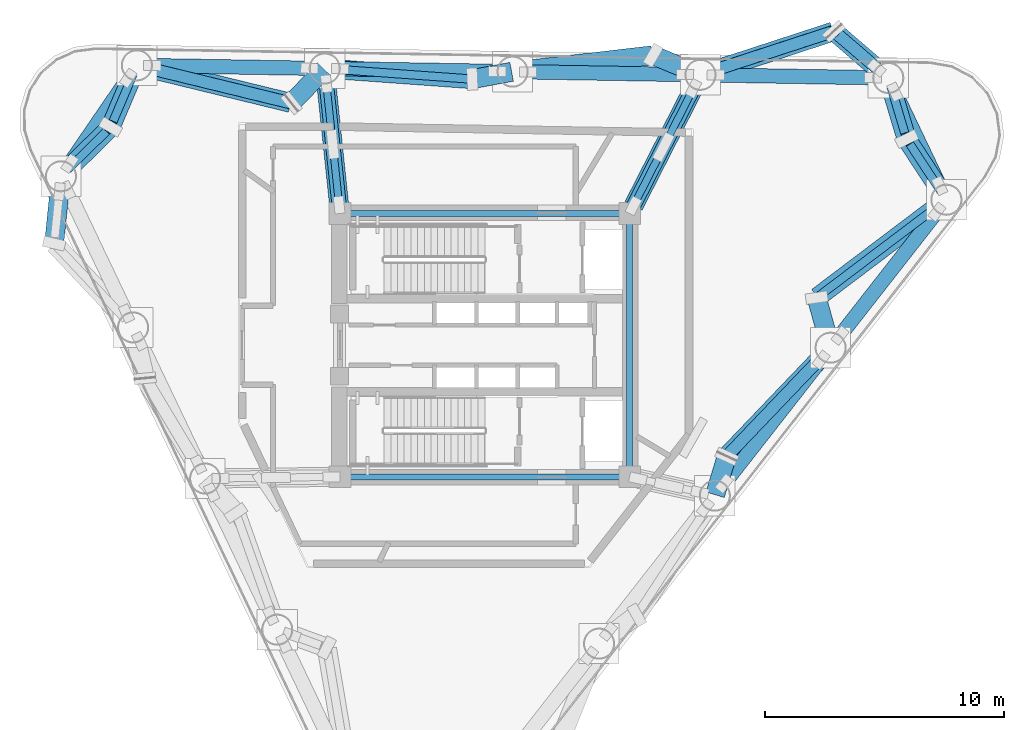
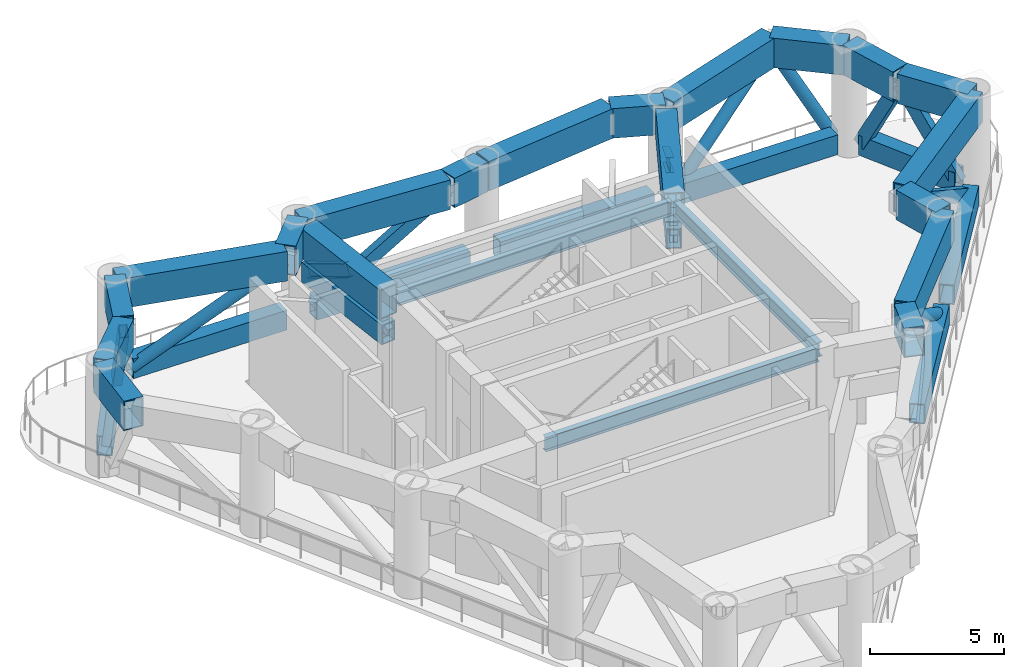
# One storey, part 2 of 9: 24 members, 22 beams.
"""IFC4 building model written with IfcOpenShell, lengths in metres."""

from ifc_helpers import new_model, si_unit, direction, frame, origin, origin_2d, place, context, subcontext, project, spatial, hollow_rectangle, hollow_circle, i_section, extrude, source, transform, mapped, material, material_profile, profile_set, type_object, element, save


model = new_model("IFC4")

# Units and contexts
model_context = context("Model", 3, precision=1e-05, world=origin(), true_north=direction((0.0, 1.0)))
body_context = subcontext(model_context, "Body", "Model", "MODEL_VIEW")
ifc_project = project(units=[si_unit("LENGTHUNIT", "METRE"), si_unit("AREAUNIT", "SQUARE_METRE"), si_unit("VOLUMEUNIT", "CUBIC_METRE"), si_unit("PLANEANGLEUNIT", "RADIAN"), si_unit("MASSUNIT", "GRAM", prefix="KILO")], contexts=[model_context])

# Site, building, storey
site_placement = place(None, origin())
site = spatial("IfcSite", under=ifc_project, at=site_placement, CompositionType="ELEMENT")
building_placement = place(site_placement, origin())
building = spatial("IfcBuilding", under=site, at=building_placement, Name="Yunling Apex Tower", CompositionType="ELEMENT")
storey_placement = place(building_placement, frame((0.0, 0.0, 153.64990234375)))
storey = spatial("IfcBuildingStorey", under=building, at=storey_placement, Name="RF4", CompositionType="ELEMENT", Elevation=153.64990234375)

# Beams
ifc_material_1 = material(Name="Steel Q355B", Category="steel")
ifc_material_profile_1 = material_profile(ifc_material_1, i_section(OverallWidth=0.25, OverallDepth=0.64990234375, WebThickness=0.011962890625, FlangeThickness=0.02001953125, FilletRadius=0.02392578125, at=origin_2d()))
ifc_profile_set_1 = profile_set([ifc_material_profile_1], Name="Steel Q355B")
beam_type_1 = type_object("IfcBeamType", Name="BG-PRI-4", PredefinedType="USERDEFINED", material=ifc_profile_set_1)
shared_shape_1 = source(origin(), body_context, "Body", "SweptSolid", [
    extrude(i_section(OverallWidth=0.25, OverallDepth=0.64990234375, WebThickness=0.011962890625, FlangeThickness=0.02001953125, FilletRadius=0.02392578125, at=origin_2d()), origin(), (0.0, 0.0, 1.0), 11.7998046875),
])
for number, where, z_axis, x_axis, name in (
    (1, (-5.89990234375, -5.5, 4.59521484375), (1.0, 0.0, 0.0), (0.0, 1.0, 0.0), "RF4 Core Ring Tie Beam 1"),
    (2, (5.89990234375, 5.5, 4.59521484375), (-1.0, 0.0, 0.0), (0.0, -1.0, 0.0), "RF4 Core Ring Tie Beam 3"),
):
    element("IfcBeam", number, at=place(storey_placement, frame(where, z_axis=z_axis, x_axis=x_axis)), inside=storey, type_object=beam_type_1, Name=name, ObjectType="GIRDER", PredefinedType="USERDEFINED", context=body_context, shape_type="MappedRepresentation", body=[
        mapped(shared_shape_1, transform((0.0, 0.0, 0.0), scale=1.0)),
    ])
shared_shape_2 = source(origin(), body_context, "Body", "SweptSolid", [
    extrude(i_section(OverallWidth=0.25, OverallDepth=0.64990234375, WebThickness=0.011962890625, FlangeThickness=0.02001953125, FilletRadius=0.02392578125, at=origin_2d()), origin(), (0.0, 0.0, 1.0), 10.7001953125),
])
beam_1_placement = place(storey_placement, frame((6.050048828125, -5.35009765625, 4.59521484375), z_axis=(0.0, 1.0, 0.0), x_axis=(-1.0, 0.0, 0.0)))
element("IfcBeam", 3, at=beam_1_placement, inside=storey, type_object=beam_type_1, Name="RF4 Core Ring Tie Beam 2", ObjectType="GIRDER", PredefinedType="USERDEFINED", context=body_context, shape_type="MappedRepresentation", body=[
    mapped(shared_shape_2, transform((0.0, 0.0, 0.0), scale=1.0)),
])

# Members
ifc_material_profile_2 = material_profile(ifc_material_1, hollow_rectangle(XDim=0.35009765625, YDim=0.550048828125, WallThickness=0.02587890625, at=origin_2d()))
ifc_profile_set_2 = profile_set([ifc_material_profile_2], Name="Steel Q355B")
member_type_1 = type_object("IfcMemberType", Name="BR-BLT-1", PredefinedType="BRACE", material=ifc_profile_set_2)
shared_shape_3 = source(origin(), body_context, "Body", "SweptSolid", [
    extrude(hollow_rectangle(XDim=0.35009765625, YDim=0.550048828125, WallThickness=0.02587890625, at=origin_2d()), origin(), (0.0, 0.0, 1.0), 4.269287109375),
])
member_1_placement = place(storey_placement, frame((-14.787841796875, 11.10107421875, 0.550048828125), z_axis=(-0.195859933669, -0.461028550436, 0.865500757981), x_axis=(0.920386389413, -0.391010094733, 0.0)))
element("IfcMember", 4, at=member_1_placement, inside=storey, type_object=member_type_1, Name="RF4 Belt-Truss Diagonal 10-1", PredefinedType="BRACE", context=body_context, shape_type="MappedRepresentation", body=[
    mapped(shared_shape_3, transform((0.0, 0.0, 0.0), scale=1.0)),
])
ifc_material_2 = material(Name="Steel Q390GJC", Category="steel")
ifc_material_profile_3 = material_profile(ifc_material_2, hollow_rectangle(XDim=0.60009765625, YDim=0.89990234375, WallThickness=0.0419921875, at=origin_2d()))
ifc_profile_set_3 = profile_set([ifc_material_profile_3], Name="Steel Q390GJC")
member_type_2 = type_object("IfcMemberType", Name="BT-CHD-1", PredefinedType="CHORD", material=ifc_profile_set_3)
shared_shape_4 = source(origin(), body_context, "Body", "SweptSolid", [
    extrude(hollow_rectangle(XDim=0.60009765625, YDim=0.89990234375, WallThickness=0.0419921875, at=origin_2d()), origin(), (0.0, 0.0, 1.0), 6.566162109375),
])
for number, where, z_axis, x_axis, name in (
    (5, (10.006103515625, -5.78369140625, 0.550048828125), (0.616211009366, 0.787581101815, 0.0), (-0.787581101815, 0.616211009366, 0.0), "RF4 Belt-Truss Bottom Chord 3"),
    (6, (14.843505859375, 0.39892578125, 0.550048828125), (0.616211009366, 0.787581101815, 0.0), (-0.787581101815, 0.616211009366, 0.0), "RF4 Belt-Truss Bottom Chord 4"),
    (7, (16.216552734375, 11.174560546875, 0.550048828125), (-0.999860012285, 0.01673188076, 0.0), (-0.01673188076, -0.999860012285, 0.0), "RF4 Belt-Truss Bottom Chord 6"),
    (8, (0.5185546875, 11.4375, 0.550048828125), (-0.999859389557, 0.016769052274, 0.0), (-0.016769052274, -0.999859389557, 0.0), "RF4 Belt-Truss Bottom Chord 8"),
    (9, (-7.330322265625, 11.569091796875, 0.550048828125), (-0.999859389557, 0.016769052274, 0.0), (-0.016769052274, -0.999859389557, 0.0), "RF4 Belt-Truss Bottom Chord 9"),
):
    element("IfcMember", number, at=place(storey_placement, frame(where, z_axis=z_axis, x_axis=x_axis)), inside=storey, type_object=member_type_2, Name=name, PredefinedType="CHORD", context=body_context, shape_type="MappedRepresentation", body=[
        mapped(shared_shape_4, transform((0.0, 0.0, 0.0), scale=1.0)),
    ])
shared_shape_5 = source(origin(), body_context, "Body", "SweptSolid", [
    extrude(hollow_rectangle(XDim=0.60009765625, YDim=0.89990234375, WallThickness=0.0419921875, at=origin_2d()), origin(), (0.0, 0.0, 1.0), 4.352783203125),
])
member_2_placement = place(storey_placement, frame((19.0087890625, 6.655517578125, 0.550048828125), z_axis=(-0.430534387642, 0.902574174823, 0.0), x_axis=(-0.902574174823, -0.430534387642, 0.0)))
element("IfcMember", 10, at=member_2_placement, inside=storey, type_object=member_type_2, Name="RF4 Belt-Truss Bottom Chord 5", PredefinedType="CHORD", context=body_context, shape_type="MappedRepresentation", body=[
    mapped(shared_shape_5, transform((0.0, 0.0, 0.0), scale=1.0)),
])
shared_shape_6 = source(origin(), body_context, "Body", "SweptSolid", [
    extrude(hollow_rectangle(XDim=0.60009765625, YDim=0.89990234375, WallThickness=0.0419921875, at=origin_2d()), origin(), (0.0, 0.0, 1.0), 6.56591796875),
])
member_3_placement = place(storey_placement, frame((8.367431640625, 11.305908203125, 0.550048828125), z_axis=(-0.999859379101, 0.016769675715, 0.0), x_axis=(-0.016769675715, -0.999859379101, 0.0)))
element("IfcMember", 11, at=member_3_placement, inside=storey, type_object=member_type_2, Name="RF4 Belt-Truss Bottom Chord 7", PredefinedType="CHORD", context=body_context, shape_type="MappedRepresentation", body=[
    mapped(shared_shape_6, transform((0.0, 0.0, 0.0), scale=1.0)),
])
shared_shape_7 = source(origin(), body_context, "Body", "SweptSolid", [
    extrude(hollow_rectangle(XDim=0.60009765625, YDim=0.89990234375, WallThickness=0.0419921875, at=origin_2d()), origin(), (0.0, 0.0, 1.0), 4.33203125),
])
member_4_placement = place(storey_placement, frame((-14.89990234375, 11.16015625, 0.550048828125), z_axis=(-0.564635426791, -0.825340435707, 0.0), x_axis=(0.825340435707, -0.564635426791, 0.0)))
element("IfcMember", 12, at=member_4_placement, inside=storey, type_object=member_type_2, Name="RF4 Belt-Truss Bottom Chord 10", PredefinedType="CHORD", context=body_context, shape_type="MappedRepresentation", body=[
    mapped(shared_shape_7, transform((0.0, 0.0, 0.0), scale=1.0)),
])

# Beams
ifc_material_profile_4 = material_profile(ifc_material_2, hollow_rectangle(XDim=0.800048828125, YDim=1.35009765625, WallThickness=0.050048828125, at=origin_2d()))
ifc_profile_set_4 = profile_set([ifc_material_profile_4], Name="Steel Q390GJC")
beam_type_2 = type_object("IfcBeamType", Name="BTRNG-1", PredefinedType="USERDEFINED", material=ifc_profile_set_4)
shared_shape_8 = source(origin(), body_context, "Body", "SweptSolid", [
    extrude(hollow_rectangle(XDim=0.800048828125, YDim=1.35009765625, WallThickness=0.050048828125, at=origin_2d()), origin(), (0.0, 0.0, 1.0), 1.63525390625),
])
beam_2_placement = place(storey_placement, frame((9.622314453125, -6.2509765625, 4.2451171875), z_axis=(0.290537748632, 0.956863530823, 0.0), x_axis=(-0.956863530823, 0.290537748632, 0.0)))
element("IfcBeam", 13, at=beam_2_placement, inside=storey, type_object=beam_type_2, Name="RF4 Panel-Split Box Ring Transfer Girder 12", ObjectType="GIRDER", PredefinedType="USERDEFINED", context=body_context, shape_type="MappedRepresentation", body=[
    mapped(shared_shape_8, transform((0.0, 0.0, 0.0), scale=1.0)),
])
shared_shape_9 = source(origin(), body_context, "Body", "SweptSolid", [
    extrude(hollow_rectangle(XDim=0.800048828125, YDim=1.35009765625, WallThickness=0.050048828125, at=origin_2d()), origin(), (0.0, 0.0, 1.0), 6.200927734375),
])
beam_3_placement = place(storey_placement, frame((10.13671875, -4.618896484375, 4.2451171875), z_axis=(0.69082026868, 0.723026525364, 0.0), x_axis=(-0.723026525364, 0.69082026868, 0.0)))
element("IfcBeam", 14, at=beam_3_placement, inside=storey, type_object=beam_type_2, Name="RF4 Panel-Split Box Ring Transfer Girder 13", ObjectType="GIRDER", PredefinedType="USERDEFINED", context=body_context, shape_type="MappedRepresentation", body=[
    mapped(shared_shape_9, transform((0.0, 0.0, 0.0), scale=1.0)),
])
shared_shape_10 = source(origin(), body_context, "Body", "SweptSolid", [
    extrude(hollow_rectangle(XDim=0.800048828125, YDim=1.35009765625, WallThickness=0.050048828125, at=origin_2d()), origin(), (0.0, 0.0, 1.0), 2.08837890625),
])
beam_4_placement = place(storey_placement, frame((14.437255859375, -0.068115234375, 4.2451171875), z_axis=(-0.26830706859, 0.963333440167, 0.0), x_axis=(-0.963333440167, -0.26830706859, 0.0)))
element("IfcBeam", 15, at=beam_4_placement, inside=storey, type_object=beam_type_2, Name="RF4 Panel-Split Box Ring Transfer Girder 14", ObjectType="GIRDER", PredefinedType="USERDEFINED", context=body_context, shape_type="MappedRepresentation", body=[
    mapped(shared_shape_10, transform((0.0, 0.0, 0.0), scale=1.0)),
])
shared_shape_11 = source(origin(), body_context, "Body", "SweptSolid", [
    extrude(hollow_rectangle(XDim=0.800048828125, YDim=1.35009765625, WallThickness=0.050048828125, at=origin_2d()), origin(), (0.0, 0.0, 1.0), 6.711669921875),
])
beam_5_placement = place(storey_placement, frame((13.898193359375, 2.006103515625, 4.2451171875), z_axis=(0.797886763177, 0.602807359898, 0.0), x_axis=(-0.602807359898, 0.797886763177, 0.0)))
element("IfcBeam", 16, at=beam_5_placement, inside=storey, type_object=beam_type_2, Name="RF4 Panel-Split Box Ring Transfer Girder 15", ObjectType="GIRDER", PredefinedType="USERDEFINED", context=body_context, shape_type="MappedRepresentation", body=[
    mapped(shared_shape_11, transform((0.0, 0.0, 0.0), scale=1.0)),
])
shared_shape_12 = source(origin(), body_context, "Body", "SweptSolid", [
    extrude(hollow_rectangle(XDim=0.800048828125, YDim=1.35009765625, WallThickness=0.050048828125, at=origin_2d()), origin(), (0.0, 0.0, 1.0), 2.95166015625),
])
beam_6_placement = place(storey_placement, frame((19.26318359375, 6.109619140625, 4.2451171875), z_axis=(-0.548040225825, 0.836451977628, 0.0), x_axis=(-0.836451977628, -0.548040225825, 0.0)))
element("IfcBeam", 17, at=beam_6_placement, inside=storey, type_object=beam_type_2, Name="RF4 Panel-Split Box Ring Transfer Girder 16", ObjectType="GIRDER", PredefinedType="USERDEFINED", context=body_context, shape_type="MappedRepresentation", body=[
    mapped(shared_shape_12, transform((0.0, 0.0, 0.0), scale=1.0)),
])
shared_shape_13 = source(origin(), body_context, "Body", "SweptSolid", [
    extrude(hollow_rectangle(XDim=0.800048828125, YDim=1.35009765625, WallThickness=0.050048828125, at=origin_2d()), origin(), (0.0, 0.0, 1.0), 2.583984375),
])
beam_7_placement = place(storey_placement, frame((17.612060546875, 8.650390625, 4.2451171875), z_axis=(-0.287226529705, 0.9578626836, 0.0), x_axis=(-0.9578626836, -0.287226529705, 0.0)))
element("IfcBeam", 18, at=beam_7_placement, inside=storey, type_object=beam_type_2, Name="RF4 Panel-Split Box Ring Transfer Girder 17", ObjectType="GIRDER", PredefinedType="USERDEFINED", context=body_context, shape_type="MappedRepresentation", body=[
    mapped(shared_shape_13, transform((0.0, 0.0, 0.0), scale=1.0)),
])
shared_shape_14 = source(origin(), body_context, "Body", "SweptSolid", [
    extrude(hollow_rectangle(XDim=0.800048828125, YDim=1.35009765625, WallThickness=0.050048828125, at=origin_2d()), origin(), (0.0, 0.0, 1.0), 2.9140625),
])
beam_8_placement = place(storey_placement, frame((16.828125, 11.189697265625, 4.2451171875), z_axis=(-0.758730005797, 0.651405233555, 0.0), x_axis=(-0.651405233555, -0.758730005797, 0.0)))
element("IfcBeam", 19, at=beam_8_placement, inside=storey, type_object=beam_type_2, Name="RF4 Panel-Split Box Ring Transfer Girder 18", ObjectType="GIRDER", PredefinedType="USERDEFINED", context=body_context, shape_type="MappedRepresentation", body=[
    mapped(shared_shape_14, transform((0.0, 0.0, 0.0), scale=1.0)),
])
shared_shape_15 = source(origin(), body_context, "Body", "SweptSolid", [
    extrude(hollow_rectangle(XDim=0.800048828125, YDim=1.35009765625, WallThickness=0.050048828125, at=origin_2d()), origin(), (0.0, 0.0, 1.0), 5.78662109375),
])
beam_9_placement = place(storey_placement, frame((14.548828125, 13.1015625, 4.2451171875), z_axis=(-0.950730380158, -0.31001894175, 0.0), x_axis=(0.31001894175, -0.950730380158, 0.0)))
element("IfcBeam", 20, at=beam_9_placement, inside=storey, type_object=beam_type_2, Name="RF4 Panel-Split Box Ring Transfer Girder 19", ObjectType="GIRDER", PredefinedType="USERDEFINED", context=body_context, shape_type="MappedRepresentation", body=[
    mapped(shared_shape_15, transform((0.0, 0.0, 0.0), scale=1.0)),
])
shared_shape_16 = source(origin(), body_context, "Body", "SweptSolid", [
    extrude(hollow_rectangle(XDim=0.800048828125, YDim=1.35009765625, WallThickness=0.050048828125, at=origin_2d()), origin(), (0.0, 0.0, 1.0), 2.06005859375),
])
beam_10_placement = place(storey_placement, frame((8.972412109375, 11.310546875, 4.2451171875), z_axis=(-0.923888286302, 0.382662298162, 0.0), x_axis=(-0.382662298162, -0.923888286302, 0.0)))
element("IfcBeam", 21, at=beam_10_placement, inside=storey, type_object=beam_type_2, Name="RF4 Panel-Split Box Ring Transfer Girder 20", ObjectType="GIRDER", PredefinedType="USERDEFINED", context=body_context, shape_type="MappedRepresentation", body=[
    mapped(shared_shape_16, transform((0.0, 0.0, 0.0), scale=1.0)),
])
shared_shape_17 = source(origin(), body_context, "Body", "SweptSolid", [
    extrude(hollow_rectangle(XDim=0.800048828125, YDim=1.35009765625, WallThickness=0.050048828125, at=origin_2d()), origin(), (0.0, 0.0, 1.0), 5.831787109375),
])
beam_11_placement = place(storey_placement, frame((6.992431640625, 12.109375, 4.2451171875), z_axis=(-0.993219299946, -0.116255848091, 0.0), x_axis=(0.116255848091, -0.993219299946, 0.0)))
element("IfcBeam", 22, at=beam_11_placement, inside=storey, type_object=beam_type_2, Name="RF4 Panel-Split Box Ring Transfer Girder 21", ObjectType="GIRDER", PredefinedType="USERDEFINED", context=body_context, shape_type="MappedRepresentation", body=[
    mapped(shared_shape_17, transform((0.0, 0.0, 0.0), scale=1.0)),
])
shared_shape_18 = source(origin(), body_context, "Body", "SweptSolid", [
    extrude(hollow_rectangle(XDim=0.800048828125, YDim=1.35009765625, WallThickness=0.050048828125, at=origin_2d()), origin(), (0.0, 0.0, 1.0), 1.631591796875),
])
beam_12_placement = place(storey_placement, frame((1.12109375, 11.41943359375, 4.2451171875), z_axis=(-0.983170696271, -0.182689304542, 0.0), x_axis=(0.182689304542, -0.983170696271, 0.0)))
element("IfcBeam", 23, at=beam_12_placement, inside=storey, type_object=beam_type_2, Name="RF4 Panel-Split Box Ring Transfer Girder 22", ObjectType="GIRDER", PredefinedType="USERDEFINED", context=body_context, shape_type="MappedRepresentation", body=[
    mapped(shared_shape_18, transform((0.0, 0.0, 0.0), scale=1.0)),
])
shared_shape_19 = source(origin(), body_context, "Body", "SweptSolid", [
    extrude(hollow_rectangle(XDim=0.800048828125, YDim=1.35009765625, WallThickness=0.050048828125, at=origin_2d()), origin(), (0.0, 0.0, 1.0), 6.10205078125),
])
beam_13_placement = place(storey_placement, frame((-0.5625, 11.116943359375, 4.2451171875), z_axis=(-0.997414846517, 0.071858360317, 0.0), x_axis=(-0.071858360317, -0.997414846517, 0.0)))
element("IfcBeam", 24, at=beam_13_placement, inside=storey, type_object=beam_type_2, Name="RF4 Panel-Split Box Ring Transfer Girder 23", ObjectType="GIRDER", PredefinedType="USERDEFINED", context=body_context, shape_type="MappedRepresentation", body=[
    mapped(shared_shape_19, transform((0.0, 0.0, 0.0), scale=1.0)),
])
shared_shape_20 = source(origin(), body_context, "Body", "SweptSolid", [
    extrude(hollow_rectangle(XDim=0.800048828125, YDim=1.35009765625, WallThickness=0.050048828125, at=origin_2d()), origin(), (0.0, 0.0, 1.0), 1.923583984375),
])
beam_14_placement = place(storey_placement, frame((-6.71630859375, 11.529541015625, 4.2451171875), z_axis=(-0.693136617737, -0.720806235511, 0.0), x_axis=(0.720806235511, -0.693136617737, 0.0)))
element("IfcBeam", 25, at=beam_14_placement, inside=storey, type_object=beam_type_2, Name="RF4 Panel-Split Box Ring Transfer Girder 24", ObjectType="GIRDER", PredefinedType="USERDEFINED", context=body_context, shape_type="MappedRepresentation", body=[
    mapped(shared_shape_20, transform((0.0, 0.0, 0.0), scale=1.0)),
])
shared_shape_21 = source(origin(), body_context, "Body", "SweptSolid", [
    extrude(hollow_rectangle(XDim=0.800048828125, YDim=1.35009765625, WallThickness=0.050048828125, at=origin_2d()), origin(), (0.0, 0.0, 1.0), 6.5693359375),
])
beam_15_placement = place(storey_placement, frame((-8.1162109375, 10.123779296875, 4.2451171875), z_axis=(-0.971521173437, 0.236952758084, 0.0), x_axis=(-0.236952758084, -0.971521173437, 0.0)))
element("IfcBeam", 26, at=beam_15_placement, inside=storey, type_object=beam_type_2, Name="RF4 Panel-Split Box Ring Transfer Girder 25", ObjectType="GIRDER", PredefinedType="USERDEFINED", context=body_context, shape_type="MappedRepresentation", body=[
    mapped(shared_shape_21, transform((0.0, 0.0, 0.0), scale=1.0)),
])
shared_shape_22 = source(origin(), body_context, "Body", "SweptSolid", [
    extrude(hollow_rectangle(XDim=0.800048828125, YDim=1.35009765625, WallThickness=0.050048828125, at=origin_2d()), origin(), (0.0, 0.0, 1.0), 2.71875),
])
beam_16_placement = place(storey_placement, frame((-14.552978515625, 11.6533203125, 4.2451171875), z_axis=(-0.391077888952, -0.920357585275, 0.0), x_axis=(0.920357585275, -0.391077888952, 0.0)))
element("IfcBeam", 27, at=beam_16_placement, inside=storey, type_object=beam_type_2, Name="RF4 Panel-Split Box Ring Transfer Girder 26", ObjectType="GIRDER", PredefinedType="USERDEFINED", context=body_context, shape_type="MappedRepresentation", body=[
    mapped(shared_shape_22, transform((0.0, 0.0, 0.0), scale=1.0)),
])
shared_shape_23 = source(origin(), body_context, "Body", "SweptSolid", [
    extrude(hollow_rectangle(XDim=0.800048828125, YDim=1.35009765625, WallThickness=0.050048828125, at=origin_2d()), origin(), (0.0, 0.0, 1.0), 2.844970703125),
])
beam_17_placement = place(storey_placement, frame((-15.66015625, 9.086181640625, 4.2451171875), z_axis=(-0.710061316979, -0.704139848418, 0.0), x_axis=(0.704139848418, -0.710061316979, 0.0)))
element("IfcBeam", 28, at=beam_17_placement, inside=storey, type_object=beam_type_2, Name="RF4 Panel-Split Box Ring Transfer Girder 27", ObjectType="GIRDER", PredefinedType="USERDEFINED", context=body_context, shape_type="MappedRepresentation", body=[
    mapped(shared_shape_23, transform((0.0, 0.0, 0.0), scale=1.0)),
])
shared_shape_24 = source(origin(), body_context, "Body", "SweptSolid", [
    extrude(hollow_rectangle(XDim=0.800048828125, YDim=1.35009765625, WallThickness=0.050048828125, at=origin_2d()), origin(), (0.0, 0.0, 1.0), 2.744140625),
])
beam_18_placement = place(storey_placement, frame((-17.712646484375, 7.014892578125, 4.2451171875), z_axis=(-0.101423839172, -0.994843306681, 0.0), x_axis=(0.994843306681, -0.101423839172, 0.0)))
element("IfcBeam", 29, at=beam_18_placement, inside=storey, type_object=beam_type_2, Name="RF4 Panel-Split Box Ring Transfer Girder 28", ObjectType="GIRDER", PredefinedType="USERDEFINED", context=body_context, shape_type="MappedRepresentation", body=[
    mapped(shared_shape_24, transform((0.0, 0.0, 0.0), scale=1.0)),
])

# Members
ifc_material_profile_5 = material_profile(ifc_material_1, hollow_circle(Radius=0.25390625, WallThickness=0.02001953125, at=origin_2d()))
ifc_profile_set_5 = profile_set([ifc_material_profile_5], Name="Steel Q355B")
member_type_3 = type_object("IfcMemberType", Name="BR-PER-2", PredefinedType="BRACE", material=ifc_profile_set_5)
shared_shape_25 = source(origin(), body_context, "Body", "SweptSolid", [
    extrude(hollow_circle(Radius=0.25390625, WallThickness=0.02001953125, at=origin_2d()), origin(), (0.0, 0.0, 1.0), 6.7265625),
])
member_5_placement = place(storey_placement, frame((14.005859375, -0.5693359375, 0.550048828125), z_axis=(-0.577266796713, -0.604161150461, 0.549319897406), x_axis=(0.723016242539, -0.690831030733, 0.0)))
element("IfcMember", 30, at=member_5_placement, inside=storey, type_object=member_type_3, Name="RF4 Belt-Truss Diagonal 3-1", PredefinedType="BRACE", context=body_context, shape_type="MappedRepresentation", body=[
    mapped(shared_shape_25, transform((0.0, 0.0, 0.0), scale=1.0)),
])
shared_shape_26 = source(origin(), body_context, "Body", "SweptSolid", [
    extrude(hollow_rectangle(XDim=0.35009765625, YDim=0.550048828125, WallThickness=0.02587890625, at=origin_2d()), origin(), (0.0, 0.0, 1.0), 7.15869140625),
])
member_6_placement = place(storey_placement, frame((18.7744140625, 5.690185546875, 0.550048828125), z_axis=(-0.68337794445, -0.516301961325, 0.516165544928), x_axis=(0.602812247169, -0.797883070796, 0.0)))
element("IfcMember", 31, at=member_6_placement, inside=storey, type_object=member_type_1, Name="RF4 Belt-Truss Diagonal 4-1", PredefinedType="BRACE", context=body_context, shape_type="MappedRepresentation", body=[
    mapped(shared_shape_26, transform((0.0, 0.0, 0.0), scale=1.0)),
])
shared_shape_27 = source(origin(), body_context, "Body", "SweptSolid", [
    extrude(hollow_rectangle(XDim=0.35009765625, YDim=0.550048828125, WallThickness=0.02587890625, at=origin_2d()), origin(), (0.0, 0.0, 1.0), 4.203369140625),
])
member_7_placement = place(storey_placement, frame((17.042236328125, 10.55078125, 0.550048828125), z_axis=(0.136954344561, -0.456630643315, 0.87905174085), x_axis=(0.957846401987, 0.28728082115, 0.0)))
element("IfcMember", 32, at=member_7_placement, inside=storey, type_object=member_type_1, Name="RF4 Belt-Truss Diagonal 5-1", PredefinedType="BRACE", context=body_context, shape_type="MappedRepresentation", body=[
    mapped(shared_shape_27, transform((0.0, 0.0, 0.0), scale=1.0)),
])
shared_shape_28 = source(origin(), body_context, "Body", "SweptSolid", [
    extrude(hollow_rectangle(XDim=0.35009765625, YDim=0.550048828125, WallThickness=0.02587890625, at=origin_2d()), origin(), (0.0, 0.0, 1.0), 4.390869140625),
])
member_8_placement = place(storey_placement, frame((18.934326171875, 6.611328125, 0.550048828125), z_axis=(-0.296023959196, 0.451875791958, 0.841533174761), x_axis=(-0.83648878697, -0.547984041076, 0.0)))
element("IfcMember", 33, at=member_8_placement, inside=storey, type_object=member_type_1, Name="RF4 Belt-Truss Diagonal 5-2", PredefinedType="BRACE", context=body_context, shape_type="MappedRepresentation", body=[
    mapped(shared_shape_28, transform((0.0, 0.0, 0.0), scale=1.0)),
])
shared_shape_29 = source(origin(), body_context, "Body", "SweptSolid", [
    extrude(hollow_circle(Radius=0.25390625, WallThickness=0.02001953125, at=origin_2d()), origin(), (0.0, 0.0, 1.0), 4.370361328125),
])
member_9_placement = place(storey_placement, frame((16.372802734375, 11.58056640625, 0.550048828125), z_axis=(-0.405162516909, 0.347904612617, 0.845461835574), x_axis=(-0.651463034476, -0.758680377176, 0.0)))
element("IfcMember", 34, at=member_9_placement, inside=storey, type_object=member_type_3, Name="RF4 Belt-Truss Diagonal 6-1", PredefinedType="BRACE", context=body_context, shape_type="MappedRepresentation", body=[
    mapped(shared_shape_29, transform((0.0, 0.0, 0.0), scale=1.0)),
])
shared_shape_30 = source(origin(), body_context, "Body", "SweptSolid", [
    extrude(hollow_circle(Radius=0.25390625, WallThickness=0.02001953125, at=origin_2d()), origin(), (0.0, 0.0, 1.0), 6.384521484375),
])
member_10_placement = place(storey_placement, frame((9.617919921875, 11.49365234375, 0.550048828125), z_axis=(0.775311992626, 0.252841573131, 0.578759408552), x_axis=(-0.310045477569, 0.950721726816, 0.0)))
element("IfcMember", 35, at=member_10_placement, inside=storey, type_object=member_type_3, Name="RF4 Belt-Truss Diagonal 6-2", PredefinedType="BRACE", context=body_context, shape_type="MappedRepresentation", body=[
    mapped(shared_shape_30, transform((0.0, 0.0, 0.0), scale=1.0)),
])
shared_shape_31 = source(origin(), body_context, "Body", "SweptSolid", [
    extrude(hollow_rectangle(XDim=0.35009765625, YDim=0.550048828125, WallThickness=0.02587890625, at=origin_2d()), origin(), (0.0, 0.0, 1.0), 6.644287109375),
])
member_11_placement = place(storey_placement, frame((-6.05029296875, 11.512451171875, 0.550048828125), z_axis=(0.828949317817, -0.059746081151, 0.556123578243), x_axis=(0.071887990633, 0.99741271137, 0.0)))
element("IfcMember", 36, at=member_11_placement, inside=storey, type_object=member_type_1, Name="RF4 Belt-Truss Diagonal 8-1", PredefinedType="BRACE", context=body_context, shape_type="MappedRepresentation", body=[
    mapped(shared_shape_31, transform((0.0, 0.0, 0.0), scale=1.0)),
])
shared_shape_32 = source(origin(), body_context, "Body", "SweptSolid", [
    extrude(hollow_circle(Radius=0.25390625, WallThickness=0.02001953125, at=origin_2d()), origin(), (0.0, 0.0, 1.0), 7.037841796875),
])
member_12_placement = place(storey_placement, frame((-13.915771484375, 11.538330078125, 0.550048828125), z_axis=(0.826837911273, -0.201688089622, 0.525034268392), x_axis=(0.236978699976, 0.971514845876, 0.0)))
element("IfcMember", 37, at=member_12_placement, inside=storey, type_object=member_type_3, Name="RF4 Belt-Truss Diagonal 9-1", PredefinedType="BRACE", context=body_context, shape_type="MappedRepresentation", body=[
    mapped(shared_shape_32, transform((0.0, 0.0, 0.0), scale=1.0)),
])
shared_shape_33 = source(origin(), body_context, "Body", "SweptSolid", [
    extrude(hollow_rectangle(XDim=0.35009765625, YDim=0.550048828125, WallThickness=0.02587890625, at=origin_2d()), origin(), (0.0, 0.0, 1.0), 4.333740234375),
])
member_13_placement = place(storey_placement, frame((-17.254150390625, 7.505615234375, 0.550048828125), z_axis=(0.371070176067, 0.367915488066, 0.852610765868), x_axis=(-0.704081766813, 0.710118909508, 0.0)))
element("IfcMember", 38, at=member_13_placement, inside=storey, type_object=member_type_1, Name="RF4 Belt-Truss Diagonal 10-2", PredefinedType="BRACE", context=body_context, shape_type="MappedRepresentation", body=[
    mapped(shared_shape_33, transform((0.0, 0.0, 0.0), scale=1.0)),
])

# Beam
shared_shape_34 = source(origin(), body_context, "Body", "SweptSolid", [
    extrude(hollow_rectangle(XDim=0.800048828125, YDim=1.35009765625, WallThickness=0.050048828125, at=origin_2d()), origin(), (0.0, 0.0, 1.0), 5.507080078125),
])
beam_19_placement = place(storey_placement, frame((6.213623046875, 5.820556640625, 4.2451171875), z_axis=(0.454804838135, 0.890591129087, 0.0), x_axis=(-0.890591129087, 0.454804838135, 0.0)))
element("IfcBeam", 39, at=beam_19_placement, inside=storey, type_object=beam_type_2, Name="RF4 Radial Outrigger Top Girder 3", ObjectType="GIRDER", PredefinedType="USERDEFINED", context=body_context, shape_type="MappedRepresentation", body=[
    mapped(shared_shape_34, transform((0.0, 0.0, 0.0), scale=1.0)),
])

# Members
shared_shape_35 = source(origin(), body_context, "Body", "SweptSolid", [
    extrude(hollow_rectangle(XDim=0.60009765625, YDim=0.89990234375, WallThickness=0.0419921875, at=origin_2d()), origin(), (0.0, 0.0, 1.0), 5.507080078125),
])
member_14_placement = place(storey_placement, frame((6.213623046875, 5.820556640625, 2.820068359375), z_axis=(0.454804838135, 0.890591129087, 0.0), x_axis=(-0.890591129087, 0.454804838135, 0.0)))
element("IfcMember", 40, at=member_14_placement, inside=storey, type_object=member_type_2, Name="RF4 Radial Outrigger Lower Chord 3", PredefinedType="CHORD", context=body_context, shape_type="MappedRepresentation", body=[
    mapped(shared_shape_35, transform((0.0, 0.0, 0.0), scale=1.0)),
])
ifc_material_profile_6 = material_profile(ifc_material_1, i_section(OverallWidth=0.300048828125, OverallDepth=0.590087890625, WebThickness=0.011962890625, FlangeThickness=0.02001953125, FilletRadius=0.02392578125, at=origin_2d()))
ifc_profile_set_6 = profile_set([ifc_material_profile_6], Name="Steel Q355B")
member_type_4 = type_object("IfcMemberType", Name="BR-OUT-1", PredefinedType="BRACE", material=ifc_profile_set_6)
shared_shape_36 = source(origin(), body_context, "Body", "SweptSolid", [
    extrude(i_section(OverallWidth=0.300048828125, OverallDepth=0.590087890625, WebThickness=0.011962890625, FlangeThickness=0.02001953125, FilletRadius=0.02392578125, at=origin_2d()), origin(), (0.0, 0.0, 1.0), 3.1005859375),
])
member_15_placement = place(storey_placement, frame((6.213623046875, 5.820556640625, 2.820068359375), z_axis=(0.403937641492, 0.790946122571, 0.459607020154), x_axis=(-0.890582342889, 0.45482204271, 0.0)))
element("IfcMember", 41, at=member_15_placement, inside=storey, type_object=member_type_4, Name="RF4 Outrigger Inner Diagonal 3A", PredefinedType="BRACE", context=body_context, shape_type="MappedRepresentation", body=[
    mapped(shared_shape_36, transform((0.0, 0.0, 0.0), scale=1.0)),
])
shared_shape_37 = source(origin(), body_context, "Body", "SweptSolid", [
    extrude(i_section(OverallWidth=0.300048828125, OverallDepth=0.590087890625, WebThickness=0.011962890625, FlangeThickness=0.02001953125, FilletRadius=0.02392578125, at=origin_2d()), origin(), (0.0, 0.0, 1.0), 3.100341796875),
])
member_16_placement = place(storey_placement, frame((7.466064453125, 8.27294921875, 4.2451171875), z_axis=(0.40389690133, 0.790941797028, -0.459650265756), x_axis=(-0.890599916001, 0.454787631339, 0.0)))
element("IfcMember", 42, at=member_16_placement, inside=storey, type_object=member_type_4, Name="RF4 Outrigger Outer Diagonal 3B", PredefinedType="BRACE", context=body_context, shape_type="MappedRepresentation", body=[
    mapped(shared_shape_37, transform((0.0, 0.0, 0.0), scale=1.0)),
])

# Beam
shared_shape_38 = source(origin(), body_context, "Body", "SweptSolid", [
    extrude(hollow_rectangle(XDim=0.800048828125, YDim=1.35009765625, WallThickness=0.050048828125, at=origin_2d()), origin(), (0.0, 0.0, 1.0), 5.092041015625),
])
beam_20_placement = place(storey_placement, frame((-6.087646484375, 5.85791015625, 4.2451171875), z_axis=(-0.104809574198, 0.994492309249, 0.0), x_axis=(-0.994492309249, -0.104809574198, 0.0)))
element("IfcBeam", 43, at=beam_20_placement, inside=storey, type_object=beam_type_2, Name="RF4 Radial Outrigger Top Girder 4", ObjectType="GIRDER", PredefinedType="USERDEFINED", context=body_context, shape_type="MappedRepresentation", body=[
    mapped(shared_shape_38, transform((0.0, 0.0, 0.0), scale=1.0)),
])

# Members
shared_shape_39 = source(origin(), body_context, "Body", "SweptSolid", [
    extrude(hollow_rectangle(XDim=0.60009765625, YDim=0.89990234375, WallThickness=0.0419921875, at=origin_2d()), origin(), (0.0, 0.0, 1.0), 5.092041015625),
])
member_17_placement = place(storey_placement, frame((-6.087646484375, 5.85791015625, 2.820068359375), z_axis=(-0.104809574198, 0.994492309249, 0.0), x_axis=(-0.994492309249, -0.104809574198, 0.0)))
element("IfcMember", 44, at=member_17_placement, inside=storey, type_object=member_type_2, Name="RF4 Radial Outrigger Lower Chord 4", PredefinedType="CHORD", context=body_context, shape_type="MappedRepresentation", body=[
    mapped(shared_shape_39, transform((0.0, 0.0, 0.0), scale=1.0)),
])
shared_shape_40 = source(origin(), body_context, "Body", "SweptSolid", [
    extrude(i_section(OverallWidth=0.300048828125, OverallDepth=0.590087890625, WebThickness=0.011962890625, FlangeThickness=0.02001953125, FilletRadius=0.02392578125, at=origin_2d()), origin(), (0.0, 0.0, 1.0), 2.917724609375),
])
for number, where, z_axis, x_axis, name in (
    (45, (-6.087646484375, 5.85791015625, 2.820068359375), (-0.091457915914, 0.867804250636, 0.488417067878), (-0.994492309249, -0.104809574198, 0.0), "RF4 Outrigger Inner Diagonal 4A"),
    (46, (-6.3544921875, 8.389892578125, 4.2451171875), (-0.091457915914, 0.867804250636, -0.488417067878), (-0.994492309249, -0.104809574198, 0.0), "RF4 Outrigger Outer Diagonal 4B"),
):
    element("IfcMember", number, at=place(storey_placement, frame(where, z_axis=z_axis, x_axis=x_axis)), inside=storey, type_object=member_type_4, Name=name, PredefinedType="BRACE", context=body_context, shape_type="MappedRepresentation", body=[
        mapped(shared_shape_40, transform((0.0, 0.0, 0.0), scale=1.0)),
    ])

save(model, "model.ifc")
